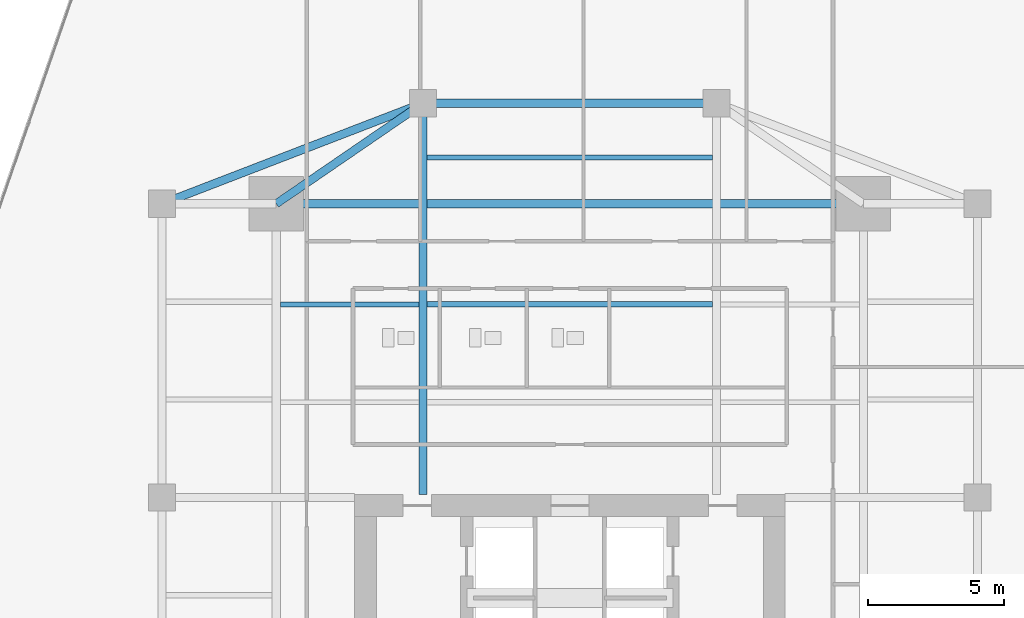
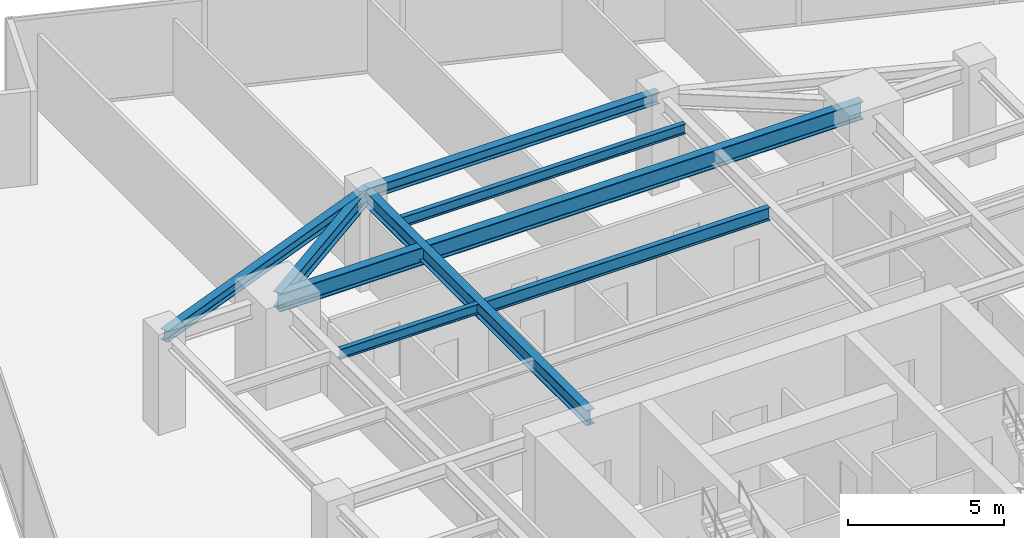
# One storey, part 16 of 27: 8 beams.
"""IFC4 building model written with IfcOpenShell, lengths in metres."""

import ifcopenshell
import ifcopenshell.guid

model = None  # the IFC model being written
_history = None  # IfcOwnerHistory: only IFC2X3 demands one
_inside = {}  # id of a spatial element -> (the spatial element, [elements in it])
_under = {}  # id of a project, library or spatial element -> (it, [spatial elements below it])
_declared = {}  # id of a project -> (the project, [libraries it declares])
_typed = {}  # id of a type object -> (the type object, [elements of that type])
_made_of = {}  # id of a material, layer set ... -> (it, [elements and type objects made of it])


def new_model(schema):
    """Start an empty IFC model of exactly this schema.

    Asked for "IFC4X3", IfcOpenShell would pick the latest addendum, in which some entities
    have other attributes; the version numbers below select the first issue.
    IFC2X3 requires an IfcOwnerHistory on every rooted entity: one is made here for all.
    """
    global model, _history
    if schema == "IFC4X3":
        model = ifcopenshell.file(schema_version=(4, 3, 0, 0))
    else:
        model = ifcopenshell.file(schema=schema)
    _inside.clear()
    _under.clear()
    _declared.clear()
    _typed.clear()
    _made_of.clear()
    _history = None
    if model.schema == "IFC2X3":
        org = make("IfcOrganization", Name="unknown")
        user = make(
            "IfcPersonAndOrganization",
            ThePerson=make("IfcPerson", FamilyName="unknown"),
            TheOrganization=org,
        )
        app = make(
            "IfcApplication",
            ApplicationDeveloper=org,
            Version="unknown",
            ApplicationFullName="unknown",
            ApplicationIdentifier="unknown",
        )
        _history = make(
            "IfcOwnerHistory",
            OwningUser=user,
            OwningApplication=app,
            ChangeAction="ADDED",
            CreationDate=0,
        )
    return model


def make(cls, **values):
    """One entity of the class cls with the attributes given. An attribute that is None is left unset."""
    return model.create_entity(
        cls, **{name: value for name, value in values.items() if value is not None}
    )


def rooted(cls, **values):
    """An entity with a GlobalId (a new one), such as an element, a storey or a relation."""
    return make(cls, GlobalId=ifcopenshell.guid.new(), OwnerHistory=_history, **values)


def si_unit(unit_type, name, prefix=None):
    """IfcSIUnit, for example si_unit("LENGTHUNIT", "METRE", prefix="MILLI")."""
    return make("IfcSIUnit", UnitType=unit_type, Prefix=prefix, Name=name)


def assignment(units):
    """IfcUnitAssignment: the units of a project."""
    return None if units is None else make("IfcUnitAssignment", Units=units)


def point(xyz):
    """IfcCartesianPoint."""
    return None if xyz is None else make("IfcCartesianPoint", Coordinates=xyz)


def direction(xyz):
    """IfcDirection."""
    return None if xyz is None else make("IfcDirection", DirectionRatios=xyz)


def frame(location, z_axis=None, x_axis=None):
    """IfcAxis2Placement3D, a coordinate frame: its origin and axes. An axis left out is left unset."""
    return make(
        "IfcAxis2Placement3D",
        Location=point(location),
        Axis=direction(z_axis),
        RefDirection=direction(x_axis),
    )


def frame_2d(location, x_axis=None):
    """IfcAxis2Placement2D, a coordinate frame in the plane: its origin and x axis."""
    return make(
        "IfcAxis2Placement2D", Location=point(location), RefDirection=direction(x_axis)
    )


def origin():
    """The frame at (0, 0, 0) with its axes left unset."""
    return frame((0.0, 0.0, 0.0))


def origin_2d():
    """The frame at (0, 0) in the plane with its x axis left unset."""
    return frame_2d((0.0, 0.0))


def place(relative_to, where):
    """IfcLocalPlacement: puts the frame where relative to a parent placement (None: the world)."""
    return make(
        "IfcLocalPlacement", PlacementRelTo=relative_to, RelativePlacement=where
    )


def context(
    kind, dimensions, precision=None, world=None, true_north=None, identifier=None
):
    """IfcGeometricRepresentationContext, for example the 3D "Model" context."""
    return make(
        "IfcGeometricRepresentationContext",
        ContextIdentifier=identifier,
        ContextType=kind,
        CoordinateSpaceDimension=dimensions,
        Precision=precision,
        WorldCoordinateSystem=world,
        TrueNorth=true_north,
    )


def subcontext(parent, identifier, kind, view, scale=None):
    """IfcGeometricRepresentationSubContext, for example "Body" below "Model"."""
    return make(
        "IfcGeometricRepresentationSubContext",
        ContextIdentifier=identifier,
        ContextType=kind,
        ParentContext=parent,
        TargetScale=scale,
        TargetView=view,
    )


def project(units=None, contexts=None):
    """IfcProject with its units and contexts."""
    return rooted(
        "IfcProject",
        Name="project",
        RepresentationContexts=contexts,
        UnitsInContext=assignment(units),
    )


def spatial(cls, under=None, at=None, **own):
    """A site, building, storey or space (cls), placed at a placement, below another one or the project."""
    s = rooted(cls, ObjectPlacement=at, **own)
    if under is not None:
        _under.setdefault(under.id(), (under, []))[1].append(s)
    return s


def profile(cls, at=None, kind="AREA", **sizes):
    """A parametric profile (cls). Its sizes go by their IFC names, for example OverallWidth=200.0."""
    return make(cls, ProfileType=kind, Position=at, **sizes)


def i_section(**sizes):
    """IfcIShapeProfileDef."""
    return profile("IfcIShapeProfileDef", **sizes)


def extrude(swept, where, along, depth):
    """IfcExtrudedAreaSolid: the profile swept, set in the frame where, extruded along a direction by depth."""
    return make(
        "IfcExtrudedAreaSolid",
        SweptArea=swept,
        Position=where,
        ExtrudedDirection=direction(along),
        Depth=depth,
    )


def shape(context_of_items, identifier, shape_type, items):
    """IfcShapeRepresentation: the items that make up one representation, for example the "Body"."""
    return make(
        "IfcShapeRepresentation",
        ContextOfItems=context_of_items,
        RepresentationIdentifier=identifier,
        RepresentationType=shape_type,
        Items=items,
    )


def source(mapping_origin, context_of_items, identifier, shape_type, items):
    """IfcRepresentationMap: a shape defined once, which mapped items show again and again."""
    return make(
        "IfcRepresentationMap",
        MappingOrigin=mapping_origin,
        MappedRepresentation=shape(context_of_items, identifier, shape_type, items),
    )


def transform(
    local_origin,
    x_axis=None,
    y_axis=None,
    z_axis=None,
    scale=None,
    scale2=None,
    scale3=None,
    uniform=True,
):
    """IfcCartesianTransformationOperator3D, or its non-uniform kind. x_axis, y_axis, z_axis: its Axis1, 2, 3."""
    if uniform:
        return make(
            "IfcCartesianTransformationOperator3D",
            Axis1=direction(x_axis),
            Axis2=direction(y_axis),
            LocalOrigin=point(local_origin),
            Scale=scale,
            Axis3=direction(z_axis),
        )
    return make(
        "IfcCartesianTransformationOperator3DnonUniform",
        Axis1=direction(x_axis),
        Axis2=direction(y_axis),
        LocalOrigin=point(local_origin),
        Scale=scale,
        Axis3=direction(z_axis),
        Scale2=scale2,
        Scale3=scale3,
    )


def mapped(mapping_source, mapping_target):
    """IfcMappedItem: shows the shape of a source again, moved by a transform."""
    return make(
        "IfcMappedItem", MappingSource=mapping_source, MappingTarget=mapping_target
    )


def material(Name=None, Category=None):
    """IfcMaterial."""
    return make("IfcMaterial", Name=Name, Category=Category)


def material_profile(
    of_material, cross_section, Name=None, Category=None, Priority=None
):
    """IfcMaterialProfile: a cross section and its material."""
    return make(
        "IfcMaterialProfile",
        Name=Name,
        Material=of_material,
        Profile=cross_section,
        Priority=Priority,
        Category=Category,
    )


def profile_set(profiles, Name=None, composite=None):
    """IfcMaterialProfileSet."""
    return make(
        "IfcMaterialProfileSet",
        Name=Name,
        MaterialProfiles=profiles,
        CompositeProfile=composite,
    )


def made_of(thing, what):
    """Note that an element or type object is made of a material, layer set ...; save() writes the relation."""
    if what is not None:
        _made_of.setdefault(what.id(), (what, []))[1].append(thing)
    return thing


def type_object(cls, material=None, **own):
    """A type object (cls), such as IfcWallType, which elements share."""
    return made_of(rooted(cls, **own), material)


def type_shapes(of_type, sources):
    """Give a type object the sources (RepresentationMaps) that its elements show as mapped items."""
    of_type.RepresentationMaps = sources


def element(
    cls,
    number,
    at=None,
    inside=None,
    cuts=None,
    type_object=None,
    material=None,
    context=None,
    identifier="Body",
    shape_type=None,
    held_by="IfcProductDefinitionShape",
    body=None,
    shapes=None,
    **own,
):
    """One element of the class cls, such as IfcWall. Its Tag is "e" and its number.

    at: its placement. inside: the storey or other place that contains it. cuts: it is an
    opening in that element (IfcRelVoidsElement). A single representation is given by context,
    identifier, shape_type and body (its items); several are given by shapes. held_by: the class
    of the entity that holds the representations. save() writes the other relations.
    """
    e = rooted(cls, Tag="e%d" % number, ObjectPlacement=at, **own)
    if body is not None:
        shapes = [shape(context, identifier, shape_type, body)]
    if shapes is not None:
        e.Representation = make(held_by, Representations=shapes)
    if inside is not None:
        _inside.setdefault(inside.id(), (inside, []))[1].append(e)
    if cuts is not None:
        rooted(
            "IfcRelVoidsElement", RelatingBuildingElement=cuts, RelatedOpeningElement=e
        )
    if type_object is not None:
        _typed.setdefault(type_object.id(), (type_object, []))[1].append(e)
    return made_of(e, material)


def aggregate(whole, parts):
    """IfcRelAggregates: a whole, such as a stair, and the parts it consists of."""
    return rooted("IfcRelAggregates", RelatingObject=whole, RelatedObjects=parts)


def save(model, path):
    """Write the relations noted so far, then the file.

    IfcRelAggregates (storeys below a building ...), IfcRelContainedInSpatialStructure (elements
    in a storey), IfcRelDefinesByType, IfcRelAssociatesMaterial and IfcRelDeclares: one each for
    every whole, place, type object, material and project.
    """
    for whole, parts in _under.values():
        aggregate(whole, parts)
    for where, things in _inside.values():
        rooted(
            "IfcRelContainedInSpatialStructure",
            RelatedElements=things,
            RelatingStructure=where,
        )
    for kind, things in _typed.values():
        rooted("IfcRelDefinesByType", RelatedObjects=things, RelatingType=kind)
    for what, things in _made_of.values():
        rooted("IfcRelAssociatesMaterial", RelatedObjects=things, RelatingMaterial=what)
    for by, libraries in _declared.values():
        rooted("IfcRelDeclares", RelatingContext=by, RelatedDefinitions=libraries)
    model.write(path)


model = new_model("IFC4")

# Units and contexts
model_context = context("Model", 3, precision=1e-05, world=origin(), true_north=direction((0.0, 1.0)))
body_context = subcontext(model_context, "Body", "Model", "MODEL_VIEW")
ifc_project = project(units=[si_unit("LENGTHUNIT", "METRE"), si_unit("AREAUNIT", "SQUARE_METRE"), si_unit("VOLUMEUNIT", "CUBIC_METRE"), si_unit("PLANEANGLEUNIT", "RADIAN"), si_unit("MASSUNIT", "GRAM", prefix="KILO")], contexts=[model_context])

# Site, building, storey
site_placement = place(None, origin())
site = spatial("IfcSite", under=ifc_project, at=site_placement, CompositionType="ELEMENT")
building_placement = place(site_placement, origin())
building = spatial("IfcBuilding", under=site, at=building_placement, Name="Krantzveldt Concourse Tower", CompositionType="ELEMENT")
storey_placement = place(building_placement, frame((0.0, 0.0, 121.64990234375)))
storey = spatial("IfcBuildingStorey", under=building, at=storey_placement, Name="L29", CompositionType="ELEMENT", Elevation=121.64990234375)

# Beams
ifc_material_1 = material(Name="Steel S355J2", Category="steel")
ifc_material_profile_1 = material_profile(ifc_material_1, i_section(OverallWidth=0.300048828125, OverallDepth=0.699951171875, WebThickness=0.01708984375, FlangeThickness=0.031982421875, FilletRadius=0.027099609375, at=origin_2d()), Name="Steel S355J2", Category="steel")
ifc_profile_set_1 = profile_set([ifc_material_profile_1], Name="Steel S355J2 - HEB 700")
beam_type_1 = type_object("IfcBeamType", Name="BM-B-HEB700", PredefinedType="BEAM", material=ifc_profile_set_1)
shared_shape_1 = source(origin(), body_context, "Body", "SweptSolid", [
    extrude(i_section(OverallWidth=0.300048828125, OverallDepth=0.699951171875, WebThickness=0.01708984375, FlangeThickness=0.031982421875, FilletRadius=0.027099609375, at=origin_2d()), origin(), (0.0, 0.0, 1.0), 21.60009765625),
])
type_shapes(beam_type_1, [shared_shape_1])
beam_1_placement = place(storey_placement, frame((25.199951171875, 37.5, 3.320068359375), z_axis=(1.0, 0.0, 0.0), x_axis=(0.0, 1.0, 0.0)))
element("IfcBeam", 1, at=beam_1_placement, inside=storey, type_object=beam_type_1, Name="L29 Tower Girder BG-MN", PredefinedType="BEAM", context=body_context, shape_type="MappedRepresentation", body=[
    mapped(shared_shape_1, transform((0.0, 0.0, 0.0), x_axis=(1.0, 0.0, 0.0), y_axis=(0.0, 1.0, 0.0), z_axis=(0.0, 0.0, 1.0), scale=1.0)),
])
ifc_material_2 = material(Name="Steel S355JR", Category="steel")
ifc_material_profile_2 = material_profile(ifc_material_2, i_section(OverallWidth=0.300048828125, OverallDepth=0.590087890625, WebThickness=0.012939453125, FlangeThickness=0.02490234375, FilletRadius=0.027099609375, at=origin_2d()), Name="Steel S355JR", Category="steel")
ifc_profile_set_2 = profile_set([ifc_material_profile_2], Name="Steel S355JR - HEA 600")
beam_type_2 = type_object("IfcBeamType", Name="BM-B-HEA600", PredefinedType="BEAM", material=ifc_profile_set_2)
shared_shape_2 = source(origin(), body_context, "Body", "SweptSolid", [
    extrude(i_section(OverallWidth=0.300048828125, OverallDepth=0.590087890625, WebThickness=0.012939453125, FlangeThickness=0.02490234375, FilletRadius=0.027099609375, at=origin_2d()), origin(), (0.0, 0.0, 1.0), 14.39990234375),
])
beam_2_placement = place(storey_placement, frame((30.60009765625, 26.800048828125, 3.375), z_axis=(0.0, 1.0, 0.0), x_axis=(-1.0, 0.0, 0.0)))
element("IfcBeam", 2, at=beam_2_placement, inside=storey, type_object=beam_type_2, Name="L29 Tower Girder BG-CNW", PredefinedType="BEAM", context=body_context, shape_type="MappedRepresentation", body=[
    mapped(shared_shape_2, transform((0.0, 0.0, 0.0), x_axis=(1.0, 0.0, 0.0), y_axis=(0.0, 1.0, 0.0), z_axis=(0.0, 0.0, 1.0), scale=1.0)),
])
ifc_material_profile_3 = material_profile(ifc_material_2, i_section(OverallWidth=0.300048828125, OverallDepth=0.43994140625, WebThickness=0.011474609375, FlangeThickness=0.02099609375, FilletRadius=0.027099609375, at=origin_2d()), Name="Steel S355JR", Category="steel")
ifc_profile_set_3 = profile_set([ifc_material_profile_3], Name="Steel S355JR - HEA 450")
beam_type_3 = type_object("IfcBeamType", Name="BM-SP-HEA450", PredefinedType="SPANDREL", material=ifc_profile_set_3)
shared_shape_3 = source(origin(), body_context, "Body", "SweptSolid", [
    extrude(i_section(OverallWidth=0.300048828125, OverallDepth=0.43994140625, WebThickness=0.011474609375, FlangeThickness=0.02099609375, FilletRadius=0.027099609375, at=origin_2d()), origin(), (0.0, 0.0, 1.0), 10.288330078125),
])
beam_3_placement = place(storey_placement, frame((21.0, 37.5, 3.4501953125), z_axis=(0.933097690408, 0.359622997257, 0.0), x_axis=(-0.359622997257, 0.933097690408, 0.0)))
element("IfcBeam", 3, at=beam_3_placement, inside=storey, type_object=beam_type_3, Name="L29 Tower Girder SP-R03", PredefinedType="SPANDREL", context=body_context, shape_type="MappedRepresentation", body=[
    mapped(shared_shape_3, transform((0.0, 0.0, 0.0), x_axis=(1.0, 0.0, 0.0), y_axis=(0.0, 1.0, 0.0), z_axis=(0.0, 0.0, 1.0), scale=1.0)),
])
shared_shape_4 = source(origin(), body_context, "Body", "SweptSolid", [
    extrude(i_section(OverallWidth=0.300048828125, OverallDepth=0.43994140625, WebThickness=0.011474609375, FlangeThickness=0.02099609375, FilletRadius=0.027099609375, at=origin_2d()), origin(), (0.0, 0.0, 1.0), 10.7998046875),
])
type_shapes(beam_type_3, [shared_shape_3, shared_shape_4])
beam_4_placement = place(storey_placement, frame((30.60009765625, 41.199951171875, 3.4501953125), z_axis=(1.0, 0.0, 0.0), x_axis=(0.0, 1.0, 0.0)))
element("IfcBeam", 4, at=beam_4_placement, inside=storey, type_object=beam_type_3, Name="L29 Tower Girder SP-R04", PredefinedType="SPANDREL", context=body_context, shape_type="MappedRepresentation", body=[
    mapped(shared_shape_4, transform((0.0, 0.0, 0.0), x_axis=(1.0, 0.0, 0.0), y_axis=(0.0, 1.0, 0.0), z_axis=(0.0, 0.0, 1.0), scale=1.0)),
])
shared_shape_5 = source(origin(), body_context, "Body", "SweptSolid", [
    extrude(i_section(OverallWidth=0.300048828125, OverallDepth=0.590087890625, WebThickness=0.012939453125, FlangeThickness=0.02490234375, FilletRadius=0.027099609375, at=origin_2d()), origin(), (0.0, 0.0, 1.0), 6.546142578125),
])
type_shapes(beam_type_2, [shared_shape_2, shared_shape_5])
beam_5_placement = place(storey_placement, frame((25.199951171875, 37.5, 3.375), z_axis=(0.824942999484, 0.565215930068, 0.0), x_axis=(-0.565215930068, 0.824942999484, 0.0)))
element("IfcBeam", 5, at=beam_5_placement, inside=storey, type_object=beam_type_2, Name="L29 Tower Girder BR-RL4", PredefinedType="BEAM", context=body_context, shape_type="MappedRepresentation", body=[
    mapped(shared_shape_5, transform((0.0, 0.0, 0.0), x_axis=(1.0, 0.0, 0.0), y_axis=(0.0, 1.0, 0.0), z_axis=(0.0, 0.0, 1.0), scale=1.0)),
])
ifc_material_profile_4 = material_profile(ifc_material_2, i_section(OverallWidth=0.199951171875, OverallDepth=0.5, WebThickness=0.01025390625, FlangeThickness=0.01611328125, FilletRadius=0.02099609375, at=origin_2d()), Name="Steel S355JR", Category="steel")
ifc_profile_set_4 = profile_set([ifc_material_profile_4], Name="Steel S355JR - IPE 500")
beam_type_4 = type_object("IfcBeamType", Name="BM-J-IPE500", PredefinedType="JOIST", material=ifc_profile_set_4)
shared_shape_6 = source(origin(), body_context, "Body", "SweptSolid", [
    extrude(i_section(OverallWidth=0.199951171875, OverallDepth=0.5, WebThickness=0.01025390625, FlangeThickness=0.01611328125, FilletRadius=0.02099609375, at=origin_2d()), origin(), (0.0, 0.0, 1.0), 10.5),
])
type_shapes(beam_type_4, [shared_shape_6])
beam_6_placement = place(storey_placement, frame((30.75, 33.800048828125, 3.420166015625), z_axis=(1.0, 0.0, 0.0), x_axis=(0.0, 1.0, 0.0)))
element("IfcBeam", 6, at=beam_6_placement, inside=storey, type_object=beam_type_4, Name="L29 Secondary Floor Joist JN-C2", PredefinedType="JOIST", context=body_context, shape_type="MappedRepresentation", body=[
    mapped(shared_shape_6, transform((0.0, 0.0, 0.0), x_axis=(1.0, 0.0, 0.0), y_axis=(0.0, 1.0, 0.0), z_axis=(0.0, 0.0, 1.0), scale=1.0)),
])
ifc_material_profile_5 = material_profile(ifc_material_2, i_section(OverallWidth=0.179931640625, OverallDepth=0.39990234375, WebThickness=0.008544921875, FlangeThickness=0.013427734375, FilletRadius=0.02099609375, at=origin_2d()), Name="Steel S355JR", Category="steel")
ifc_profile_set_5 = profile_set([ifc_material_profile_5], Name="Steel S355JR - IPE 400")
beam_type_5 = type_object("IfcBeamType", Name="BM-J-IPE400", PredefinedType="JOIST", material=ifc_profile_set_5)
shared_shape_7 = source(origin(), body_context, "Body", "SweptSolid", [
    extrude(i_section(OverallWidth=0.179931640625, OverallDepth=0.39990234375, WebThickness=0.008544921875, FlangeThickness=0.013427734375, FilletRadius=0.02099609375, at=origin_2d()), origin(), (0.0, 0.0, 1.0), 10.5),
])
beam_7_placement = place(storey_placement, frame((30.75, 39.199951171875, 3.47021484375), z_axis=(1.0, 0.0, 0.0), x_axis=(0.0, 1.0, 0.0)))
element("IfcBeam", 7, at=beam_7_placement, inside=storey, type_object=beam_type_5, Name="L29 Secondary Floor Joist JN-C3", PredefinedType="JOIST", context=body_context, shape_type="MappedRepresentation", body=[
    mapped(shared_shape_7, transform((0.0, 0.0, 0.0), x_axis=(1.0, 0.0, 0.0), y_axis=(0.0, 1.0, 0.0), z_axis=(0.0, 0.0, 1.0), scale=1.0)),
])
shared_shape_8 = source(origin(), body_context, "Body", "SweptSolid", [
    extrude(i_section(OverallWidth=0.179931640625, OverallDepth=0.39990234375, WebThickness=0.008544921875, FlangeThickness=0.013427734375, FilletRadius=0.02099609375, at=origin_2d()), origin(), (0.0, 0.0, 1.0), 5.099853515625),
])
type_shapes(beam_type_5, [shared_shape_7, shared_shape_8])
beam_8_placement = place(storey_placement, frame((25.35009765625, 33.800048828125, 3.47021484375), z_axis=(1.0, 0.0, 0.0), x_axis=(0.0, 1.0, 0.0)))
element("IfcBeam", 8, at=beam_8_placement, inside=storey, type_object=beam_type_5, Name="L29 Secondary Floor Joist JN-W2", PredefinedType="JOIST", context=body_context, shape_type="MappedRepresentation", body=[
    mapped(shared_shape_8, transform((0.0, 0.0, 0.0), x_axis=(1.0, 0.0, 0.0), y_axis=(0.0, 1.0, 0.0), z_axis=(0.0, 0.0, 1.0), scale=1.0)),
])

save(model, "model.ifc")
